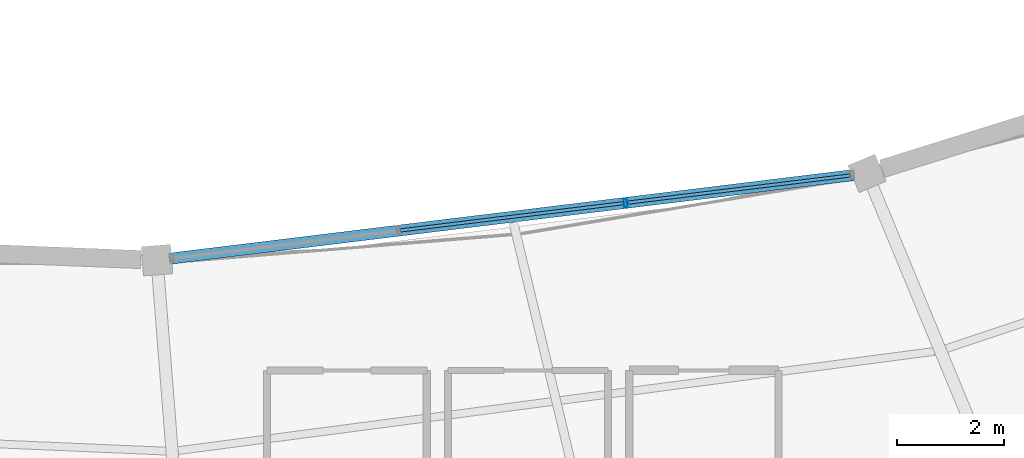
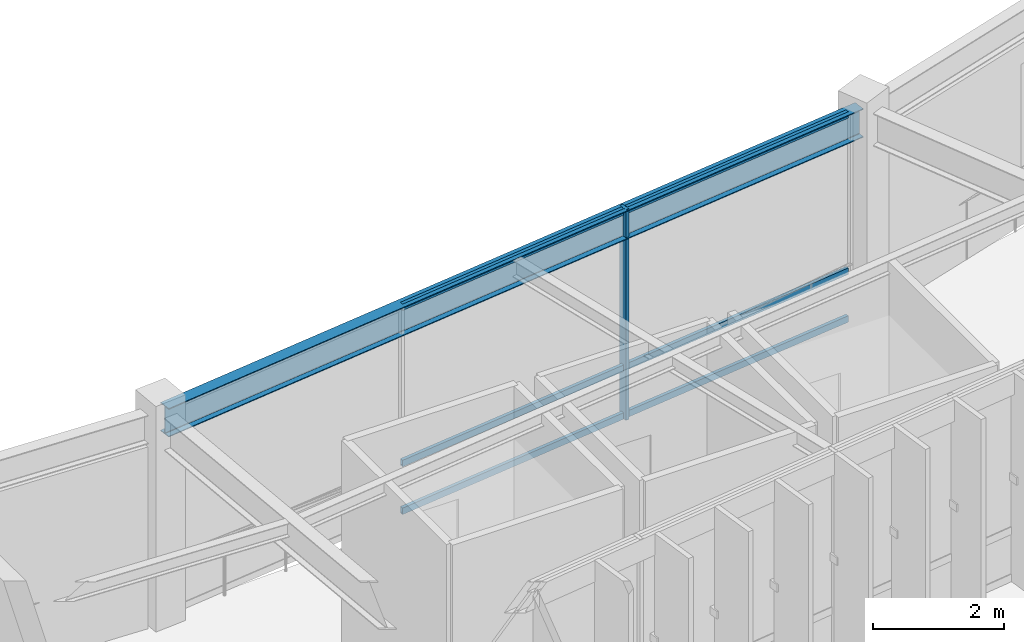
# One storey, part 31 of 83: 7 members, 1 beam, 1 element without a shape of its own.
"""IFC4 building model written with IfcOpenShell, lengths in metres."""

from ifc_helpers import new_model, si_unit, direction, frame, origin, origin_2d, place, context, subcontext, project, spatial, hollow_rectangle, i_section, extrude, material, material_profile, profile_set, type_object, element, aggregate, save


model = new_model("IFC4")

# Units and contexts
model_context = context("Model", 3, precision=1e-05, world=origin(), true_north=direction((0.0, 1.0)))
body_context = subcontext(model_context, "Body", "Model", "MODEL_VIEW")
ifc_project = project(units=[si_unit("LENGTHUNIT", "METRE"), si_unit("AREAUNIT", "SQUARE_METRE"), si_unit("VOLUMEUNIT", "CUBIC_METRE"), si_unit("PLANEANGLEUNIT", "RADIAN"), si_unit("MASSUNIT", "GRAM", prefix="KILO"), si_unit("THERMODYNAMICTEMPERATUREUNIT", "KELVIN"), si_unit("POWERUNIT", "WATT")], contexts=[model_context])

# Site, building, storey
site_placement = place(None, origin())
site = spatial("IfcSite", under=ifc_project, at=site_placement, CompositionType="ELEMENT")
building_placement = place(site_placement, origin())
building = spatial("IfcBuilding", under=site, at=building_placement, Name="Darbajah Civic Hall", CompositionType="ELEMENT")
storey_placement = place(building_placement, frame((0.0, 0.0, 18.0)))
storey = spatial("IfcBuildingStorey", under=building, at=storey_placement, Name="L04", CompositionType="ELEMENT", Elevation=18.0)

# Curtain wall, members
ifc_material_1 = material(Name="Anodised Bronze Aluminium and Low-E Glazing", Category="aluminium")
curtain_wall_type = type_object("IfcCurtainWallType", Name="Unitised Curtain Wall CW-73 12900x3900", PredefinedType="USERDEFINED", material=ifc_material_1)
curtain_wall_placement = place(storey_placement, origin())
curtain_wall = element("IfcCurtainWall", 1, at=curtain_wall_placement, inside=storey, type_object=curtain_wall_type, Name="L04 unitised curtain wall CW-V1I-L04-15", ObjectType="UNITISED CURTAIN WALL", PredefinedType="USERDEFINED")
ifc_material_2 = material(Name="Anodised Bronze Aluminium", Category="aluminium")
ifc_material_profile_1 = material_profile(ifc_material_2, hollow_rectangle(XDim=0.06005859375, YDim=0.159912109375, WallThickness=0.00341796875, at=origin_2d()), Name="ALU MULLION 60x160")
ifc_profile_set_1 = profile_set([ifc_material_profile_1], Name="Anodised Bronze Aluminium")
member_type_1 = type_object("IfcMemberType", Name="ALU MULLION 60x160", PredefinedType="MULLION", material=ifc_profile_set_1)
member_1_placement = place(storey_placement, frame((101.328125, 68.643310546875, 0.0), z_axis=(0.0, 0.0, 1.0), x_axis=(0.992609826221, 0.121349630774, 0.0)))
member_1 = element("IfcMember", 2, at=member_1_placement, type_object=member_type_1, Name="CW-V1I-L04-15 mullion 3", PredefinedType="MULLION", context=body_context, shape_type="SweptSolid", body=[
    extrude(hollow_rectangle(XDim=0.06005859375, YDim=0.159912109375, WallThickness=0.00341796875, at=origin_2d()), origin(), (0.0, 0.0, 1.0), 3.919921875),
])
ifc_material_profile_2 = material_profile(ifc_material_2, hollow_rectangle(XDim=0.06005859375, YDim=0.1201171875, WallThickness=0.003173828125, at=origin_2d()), Name="ALU TRANSOM 60x120")
ifc_profile_set_2 = profile_set([ifc_material_profile_2], Name="Anodised Bronze Aluminium")
member_type_2 = type_object("IfcMemberType", Name="ALU TRANSOM 60x120", PredefinedType="USERDEFINED", material=ifc_profile_set_2)
member_2_placement = place(storey_placement, frame((97.1044921875, 68.127197265625, 0.06005859375), z_axis=(0.992614137143, 0.121314363305, 0.0), x_axis=(-0.121314363305, 0.992614137143, 0.0)))
member_2 = element("IfcMember", 3, at=member_2_placement, type_object=member_type_2, Name="CW-V1I-L04-15 transom 2.1", ObjectType="TRANSOM", PredefinedType="USERDEFINED", context=body_context, shape_type="SweptSolid", body=[
    extrude(hollow_rectangle(XDim=0.06005859375, YDim=0.1201171875, WallThickness=0.003173828125, at=origin_2d()), origin(), (0.0, 0.0, 1.0), 4.22021484375),
])
member_3_placement = place(storey_placement, frame((97.1044921875, 68.127197265625, 0.949951171875), z_axis=(0.992614137143, 0.121314363305, 0.0), x_axis=(-0.121314363305, 0.992614137143, 0.0)))
member_3 = element("IfcMember", 4, at=member_3_placement, type_object=member_type_2, Name="CW-V1I-L04-15 transom 2.2", ObjectType="TRANSOM", PredefinedType="USERDEFINED", context=body_context, shape_type="SweptSolid", body=[
    extrude(hollow_rectangle(XDim=0.06005859375, YDim=0.1201171875, WallThickness=0.003173828125, at=origin_2d()), origin(), (0.0, 0.0, 1.0), 4.22021484375),
])
member_4_placement = place(storey_placement, frame((97.1044921875, 68.127197265625, 3.860107421875), z_axis=(0.992614137143, 0.121314363305, 0.0), x_axis=(-0.121314363305, 0.992614137143, 0.0)))
member_4 = element("IfcMember", 5, at=member_4_placement, type_object=member_type_2, Name="CW-V1I-L04-15 transom 2.3", ObjectType="TRANSOM", PredefinedType="USERDEFINED", context=body_context, shape_type="SweptSolid", body=[
    extrude(hollow_rectangle(XDim=0.06005859375, YDim=0.1201171875, WallThickness=0.003173828125, at=origin_2d()), origin(), (0.0, 0.0, 1.0), 4.22021484375),
])
member_5_placement = place(storey_placement, frame((101.36279296875, 68.647705078125, 0.06005859375), z_axis=(0.992614137143, 0.121314363305, 0.0), x_axis=(-0.121314363305, 0.992614137143, 0.0)))
member_5 = element("IfcMember", 6, at=member_5_placement, type_object=member_type_2, Name="CW-V1I-L04-15 transom 3.1", ObjectType="TRANSOM", PredefinedType="USERDEFINED", context=body_context, shape_type="SweptSolid", body=[
    extrude(hollow_rectangle(XDim=0.06005859375, YDim=0.1201171875, WallThickness=0.003173828125, at=origin_2d()), origin(), (0.0, 0.0, 1.0), 4.22021484375),
])
member_6_placement = place(storey_placement, frame((101.36279296875, 68.647705078125, 0.949951171875), z_axis=(0.992614137143, 0.121314363305, 0.0), x_axis=(-0.121314363305, 0.992614137143, 0.0)))
member_6 = element("IfcMember", 7, at=member_6_placement, type_object=member_type_2, Name="CW-V1I-L04-15 transom 3.2", ObjectType="TRANSOM", PredefinedType="USERDEFINED", context=body_context, shape_type="SweptSolid", body=[
    extrude(hollow_rectangle(XDim=0.06005859375, YDim=0.1201171875, WallThickness=0.003173828125, at=origin_2d()), origin(), (0.0, 0.0, 1.0), 4.22021484375),
])
member_7_placement = place(storey_placement, frame((101.36279296875, 68.647705078125, 3.860107421875), z_axis=(0.992614137143, 0.121314363305, 0.0), x_axis=(-0.121314363305, 0.992614137143, 0.0)))
member_7 = element("IfcMember", 8, at=member_7_placement, type_object=member_type_2, Name="CW-V1I-L04-15 transom 3.3", ObjectType="TRANSOM", PredefinedType="USERDEFINED", context=body_context, shape_type="SweptSolid", body=[
    extrude(hollow_rectangle(XDim=0.06005859375, YDim=0.1201171875, WallThickness=0.003173828125, at=origin_2d()), origin(), (0.0, 0.0, 1.0), 4.22021484375),
])
aggregate(curtain_wall, [member_1, member_2, member_3, member_4, member_5, member_6, member_7])

# Beam
ifc_material_3 = material(Name="Steel S355JR", Category="steel")
ifc_material_profile_3 = material_profile(ifc_material_3, i_section(OverallWidth=0.209228515625, OverallDepth=0.533203125, WebThickness=0.010009765625, FlangeThickness=0.015625, FilletRadius=0.0126953125, at=origin_2d()), Name="UB 533x210x92")
ifc_profile_set_3 = profile_set([ifc_material_profile_3], Name="Steel S355JR")
beam_type = type_object("IfcBeamType", Name="UB 533x210x92", PredefinedType="BEAM", material=ifc_profile_set_3)
beam_placement = place(storey_placement, frame((92.615966796875, 67.578369140625, 3.653564453125), z_axis=(0.992611744559, 0.121333938216, 0.0), x_axis=(-0.121333938216, 0.992611744559, 0.0)))
element("IfcBeam", 9, at=beam_placement, inside=storey, type_object=beam_type, Name="L04 beam SB-533", PredefinedType="BEAM", context=body_context, shape_type="SweptSolid", body=[
    extrude(i_section(OverallWidth=0.209228515625, OverallDepth=0.533203125, WebThickness=0.010009765625, FlangeThickness=0.015625, FilletRadius=0.0126953125, at=origin_2d()), origin(), (0.0, 0.0, 1.0), 13.263916015625),
])

save(model, "model.ifc")
